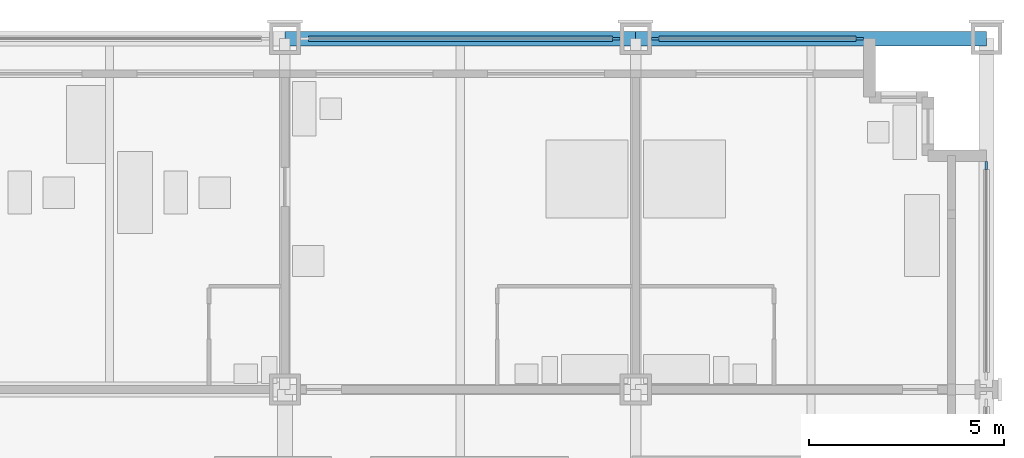
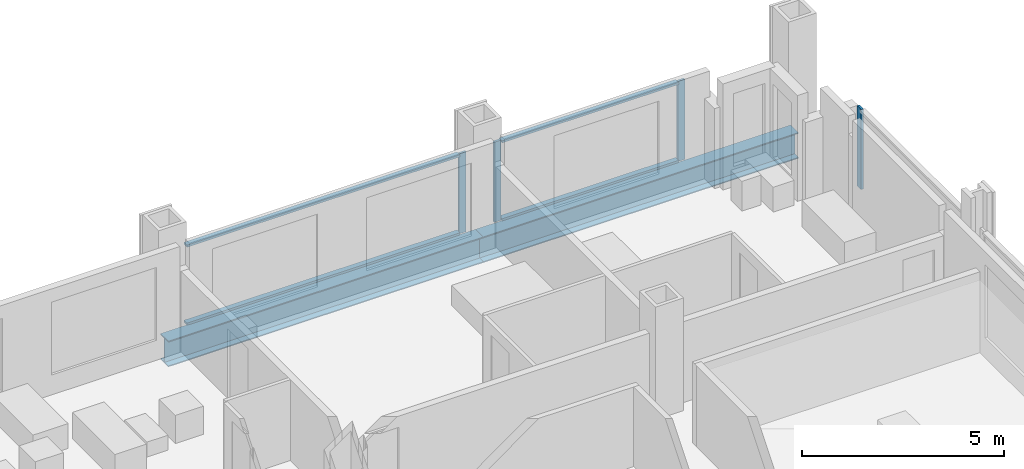
# One storey, part 8 of 18: 8 members, 2 beams, 3 elements without a shape of their own.
"""IFC4 building model written with IfcOpenShell, lengths in metres."""

from ifc_helpers import new_model, si_unit, direction, frame, origin, origin_2d, place, context, subcontext, project, spatial, rectangle, i_section, extrude, material, material_profile, profile_set, type_object, element, aggregate, save


model = new_model("IFC4")

# Units and contexts
model_context = context("Model", 3, precision=1e-05, world=origin(), true_north=direction((0.0, 1.0)))
body_context = subcontext(model_context, "Body", "Model", "MODEL_VIEW")
ifc_project = project(units=[si_unit("LENGTHUNIT", "METRE"), si_unit("AREAUNIT", "SQUARE_METRE"), si_unit("VOLUMEUNIT", "CUBIC_METRE"), si_unit("PLANEANGLEUNIT", "RADIAN"), si_unit("MASSUNIT", "GRAM", prefix="KILO")], contexts=[model_context])

# Site, building, storey
site_placement = place(None, origin())
site = spatial("IfcSite", under=ifc_project, at=site_placement, CompositionType="ELEMENT")
building_placement = place(site_placement, origin())
building = spatial("IfcBuilding", under=site, at=building_placement, Name="Loomwork Tower", CompositionType="ELEMENT")
storey_placement = place(building_placement, frame((0.0, 0.0, 28.0)))
storey = spatial("IfcBuildingStorey", under=building, at=storey_placement, Name="L05", CompositionType="ELEMENT", Elevation=28.0)

# Curtain wall, member
ifc_material_1 = material(Name="Aluminium curtain wall frame", Category="aluminium")
curtain_wall_type = type_object("IfcCurtainWallType", Name="Outer skin glazing hotel", PredefinedType="NOTDEFINED", material=ifc_material_1)
curtain_wall_1_placement = place(storey_placement, origin())
curtain_wall_1 = element("IfcCurtainWall", 1, at=curtain_wall_1_placement, inside=storey, type_object=curtain_wall_type, Name="Outer skin glazing hotel cw/N-36", PredefinedType="NOTDEFINED")
ifc_material_2 = material(Name="Aluminium curtain wall frame", Category="aluminium")
ifc_material_profile_1 = material_profile(ifc_material_2, rectangle(XDim=0.06494140625, YDim=0.199951171875, at=origin_2d()), Name="AL 65x200")
ifc_profile_set_1 = profile_set([ifc_material_profile_1], Name="Aluminium curtain wall frame")
member_type_1 = type_object("IfcMemberType", Name="Outer skin glazing hotel mullion", PredefinedType="MULLION", material=ifc_profile_set_1)
member_1_placement = place(storey_placement, frame((44.5, 36.0, 0.0), z_axis=(0.0, 0.0, 1.0), x_axis=(0.0, -1.0, 0.0)))
member_1 = element("IfcMember", 2, at=member_1_placement, type_object=member_type_1, Name="CW1 mullion 1", PredefinedType="MULLION", context=body_context, shape_type="SweptSolid", body=[
    extrude(rectangle(XDim=0.06494140625, YDim=0.199951171875, at=origin_2d()), origin(), (0.0, 0.0, 1.0), 2.420166015625),
])

# Curtain wall, members
curtain_wall_2_placement = place(storey_placement, origin())
curtain_wall_2 = element("IfcCurtainWall", 3, at=curtain_wall_2_placement, inside=storey, type_object=curtain_wall_type, Name="Outer skin glazing hotel cw/N-45", PredefinedType="NOTDEFINED")
member_2_placement = place(storey_placement, frame((50.75, 36.0, 0.0), z_axis=(0.0, 0.0, 1.0), x_axis=(0.0, -1.0, 0.0)))
member_2 = element("IfcMember", 4, at=member_2_placement, type_object=member_type_1, Name="CW1 mullion 1", PredefinedType="MULLION", context=body_context, shape_type="SweptSolid", body=[
    extrude(rectangle(XDim=0.06494140625, YDim=0.199951171875, at=origin_2d()), origin(), (0.0, 0.0, 1.0), 2.420166015625),
])
member_3_placement = place(storey_placement, frame((45.5, 36.0, 0.0), z_axis=(0.0, 0.0, 1.0), x_axis=(0.0, -1.0, 0.0)))
member_3 = element("IfcMember", 5, at=member_3_placement, type_object=member_type_1, Name="CW1 mullion 2", PredefinedType="MULLION", context=body_context, shape_type="SweptSolid", body=[
    extrude(rectangle(XDim=0.06494140625, YDim=0.199951171875, at=origin_2d()), origin(), (0.0, 0.0, 1.0), 2.420166015625),
])

# Curtain wall, member
curtain_wall_3_placement = place(storey_placement, origin())
curtain_wall_3 = element("IfcCurtainWall", 6, at=curtain_wall_3_placement, inside=storey, type_object=curtain_wall_type, Name="Outer skin glazing hotel cw/E-27", PredefinedType="NOTDEFINED")
member_4_placement = place(storey_placement, frame((54.0, 32.75, 0.0), z_axis=(0.0, 0.0, 1.0), x_axis=(-1.0, 0.0, 0.0)))
member_4 = element("IfcMember", 7, at=member_4_placement, type_object=member_type_1, Name="CW1 mullion 2", PredefinedType="MULLION", context=body_context, shape_type="SweptSolid", body=[
    extrude(rectangle(XDim=0.06494140625, YDim=0.199951171875, at=origin_2d()), origin(), (0.0, 0.0, 1.0), 2.420166015625),
])
aggregate(curtain_wall_3, [member_4])

# Member
ifc_material_3 = material(Name="Aluminium curtain wall frame", Category="aluminium")
ifc_material_profile_2 = material_profile(ifc_material_3, rectangle(XDim=0.14990234375, YDim=0.06494140625, at=origin_2d()), Name="AL 65x150")
ifc_profile_set_2 = profile_set([ifc_material_profile_2], Name="Aluminium curtain wall frame")
member_type_2 = type_object("IfcMemberType", Name="Outer skin glazing hotel transom", PredefinedType="USERDEFINED", material=ifc_profile_set_2)
member_5_placement = place(storey_placement, frame((44.39990234375, 36.0, 0.032470703125), z_axis=(-1.0, 0.0, 0.0), x_axis=(0.0, -1.0, 0.0)))
member_5 = element("IfcMember", 8, at=member_5_placement, type_object=member_type_2, Name="CW1 transom 1.1", ObjectType="TRANSOM", PredefinedType="USERDEFINED", context=body_context, shape_type="SweptSolid", body=[
    extrude(rectangle(XDim=0.14990234375, YDim=0.06494140625, at=origin_2d()), origin(), (0.0, 0.0, 1.0), 7.7998046875),
])

member_6_placement = place(storey_placement, frame((44.39990234375, 36.0, 2.3876953125), z_axis=(-1.0, 0.0, 0.0), x_axis=(0.0, -1.0, 0.0)))
member_6 = element("IfcMember", 9, at=member_6_placement, type_object=member_type_2, Name="CW1 transom 1.2", ObjectType="TRANSOM", PredefinedType="USERDEFINED", context=body_context, shape_type="SweptSolid", body=[
    extrude(rectangle(XDim=0.14990234375, YDim=0.06494140625, at=origin_2d()), origin(), (0.0, 0.0, 1.0), 7.7998046875),
])

aggregate(curtain_wall_1, [member_1, member_5, member_6])

member_7_placement = place(storey_placement, frame((50.64990234375, 36.0, 0.032470703125), z_axis=(-1.0, 0.0, 0.0), x_axis=(0.0, -1.0, 0.0)))
member_7 = element("IfcMember", 10, at=member_7_placement, type_object=member_type_2, Name="CW1 transom 1.1", ObjectType="TRANSOM", PredefinedType="USERDEFINED", context=body_context, shape_type="SweptSolid", body=[
    extrude(rectangle(XDim=0.14990234375, YDim=0.06494140625, at=origin_2d()), origin(), (0.0, 0.0, 1.0), 5.0498046875),
])

member_8_placement = place(storey_placement, frame((50.64990234375, 36.0, 2.3876953125), z_axis=(-1.0, 0.0, 0.0), x_axis=(0.0, -1.0, 0.0)))
member_8 = element("IfcMember", 11, at=member_8_placement, type_object=member_type_2, Name="CW1 transom 1.2", ObjectType="TRANSOM", PredefinedType="USERDEFINED", context=body_context, shape_type="SweptSolid", body=[
    extrude(rectangle(XDim=0.14990234375, YDim=0.06494140625, at=origin_2d()), origin(), (0.0, 0.0, 1.0), 5.0498046875),
])

aggregate(curtain_wall_2, [member_2, member_3, member_7, member_8])

# Beams
ifc_material_4 = material(Name="Steel ASTM A992", Category="steel")
ifc_material_profile_3 = material_profile(ifc_material_4, i_section(OverallWidth=0.381103515625, OverallDepth=0.77978515625, WebThickness=0.01806640625, FlangeThickness=0.0302734375, at=origin_2d()), Name="W30x191")
ifc_profile_set_3 = profile_set([ifc_material_profile_3], Name="Steel ASTM A992")
beam_type = type_object("IfcBeamType", Name="SPANDREL GIRDER W30x191", PredefinedType="SPANDREL", material=ifc_profile_set_3)
for number, where, z_axis, x_axis, name in (
    (12, (36.0, 36.0, -0.58984375), (1.0, 0.0, 0.0), (0.0, 1.0, 0.0), "Spandrel Girder H/6-H/7 L05"),
    (13, (45.0, 36.0, -0.58984375), (1.0, 0.0, 0.0), (0.0, 1.0, 0.0), "Spandrel Girder H/7-H/8 L05"),
):
    element("IfcBeam", number, at=place(storey_placement, frame(where, z_axis=z_axis, x_axis=x_axis)), inside=storey, type_object=beam_type, Name=name, PredefinedType="SPANDREL", context=body_context, shape_type="SweptSolid", body=[
        extrude(i_section(OverallWidth=0.381103515625, OverallDepth=0.77978515625, WebThickness=0.01806640625, FlangeThickness=0.0302734375, at=origin_2d()), origin(), (0.0, 0.0, 1.0), 9.0),
    ])

save(model, "model.ifc")
